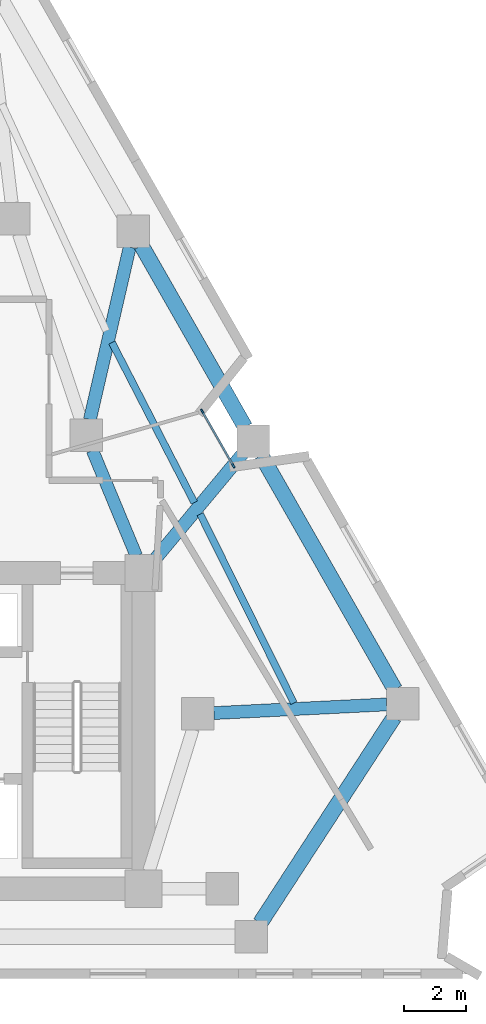
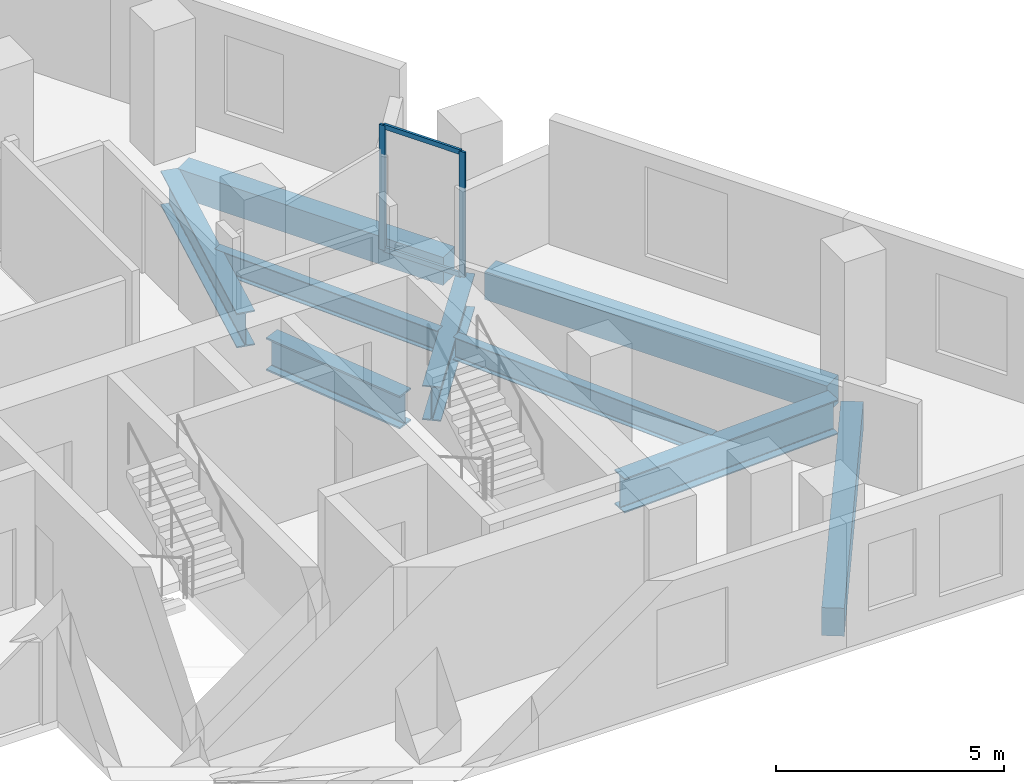
# One storey, part 4 of 11: 9 beams, 4 members, 1 element without a shape of its own.
"""IFC4 building model written with IfcOpenShell, lengths in metres."""

from ifc_helpers import new_model, si_unit, direction, frame, origin, origin_2d, place, context, subcontext, project, spatial, rectangle, i_section, extrude, material, layer, layer_set, material_profile, profile_set, type_object, element, aggregate, save


model = new_model("IFC4")

# Units and contexts
model_context = context("Model", 3, precision=1e-05, world=origin(), true_north=direction((0.0, 1.0)))
body_context = subcontext(model_context, "Body", "Model", "MODEL_VIEW")
ifc_project = project(units=[si_unit("LENGTHUNIT", "METRE"), si_unit("AREAUNIT", "SQUARE_METRE"), si_unit("VOLUMEUNIT", "CUBIC_METRE"), si_unit("PLANEANGLEUNIT", "RADIAN"), si_unit("MASSUNIT", "GRAM", prefix="KILO")], contexts=[model_context])

# Site, building, storey
site_placement = place(None, origin())
site = spatial("IfcSite", under=ifc_project, at=site_placement, CompositionType="ELEMENT")
building_placement = place(site_placement, origin())
building = spatial("IfcBuilding", under=site, at=building_placement, Name="Almagre Mirador Tower", CompositionType="ELEMENT")
storey_placement = place(building_placement, frame((0.0, 0.0, 142.800048828125)))
storey = spatial("IfcBuildingStorey", under=building, at=storey_placement, Name="L36", CompositionType="ELEMENT", Elevation=142.800048828125)

# Beams
ifc_material_1 = material(Name="Steel ASTM A992 Grade 50", Category="steel")
ifc_material_profile_1 = material_profile(ifc_material_1, i_section(OverallWidth=0.22802734375, OverallDepth=0.60791015625, WebThickness=0.01123046875, FlangeThickness=0.017333984375, FilletRadius=0.02001953125, at=origin_2d()), Name="W24X76")
ifc_profile_set_1 = profile_set([ifc_material_profile_1], Name="Steel ASTM A992 Grade 50")
beam_type_1 = type_object("IfcBeamType", Name="BM-JST-W24X76", PredefinedType="JOIST", material=ifc_profile_set_1)
beam_1_placement = place(storey_placement, frame((51.912353515625, 10.548095703125, -0.553955078125), z_axis=(-0.444446871484, 0.895805212325, 0.0), x_axis=(-0.895805212325, -0.444446871484, 0.0)))
element("IfcBeam", 1, at=beam_1_placement, inside=storey, type_object=beam_type_1, Name="L36 secondary floor joist PC05-PC06.2", PredefinedType="JOIST", context=body_context, shape_type="SweptSolid", body=[
    extrude(i_section(OverallWidth=0.22802734375, OverallDepth=0.60791015625, WebThickness=0.01123046875, FlangeThickness=0.017333984375, FilletRadius=0.02001953125, at=origin_2d()), origin(), (0.0, 0.0, 1.0), 6.817626953125),
])
beam_2_placement = place(storey_placement, frame((48.69384765625, 17.0283203125, -0.553955078125), z_axis=(-0.457690265575, 0.889111703217, 0.0), x_axis=(-0.889111703217, -0.457690265575, 0.0)))
element("IfcBeam", 2, at=beam_2_placement, inside=storey, type_object=beam_type_1, Name="L36 secondary floor joist PC06-PC07.2", PredefinedType="JOIST", context=body_context, shape_type="SweptSolid", body=[
    extrude(i_section(OverallWidth=0.22802734375, OverallDepth=0.60791015625, WebThickness=0.01123046875, FlangeThickness=0.017333984375, FilletRadius=0.02001953125, at=origin_2d()), origin(), (0.0, 0.0, 1.0), 5.818115234375),
])
ifc_material_2 = material(Name="Precast concrete C50/60", Category="concrete")
ifc_material_profile_2 = material_profile(ifc_material_2, rectangle(XDim=0.5, YDim=0.75, at=origin_2d()), Name="RC500X750")
ifc_profile_set_2 = profile_set([ifc_material_profile_2], Name="Precast concrete C50/60")
beam_type_2 = type_object("IfcBeamType", Name="BM-SPN-RC500X750", PredefinedType="SPANDREL", material=ifc_profile_set_2)
beam_3_placement = place(storey_placement, frame((50.822265625, 3.440185546875, -0.625), z_axis=(0.545085674256, 0.838380347885, 0.0), x_axis=(-0.838380347885, 0.545085674256, 0.0)))
element("IfcBeam", 3, at=beam_3_placement, inside=storey, type_object=beam_type_2, Name="L36 perimeter spandrel beam PC04-PC05", PredefinedType="SPANDREL", context=body_context, shape_type="SweptSolid", body=[
    extrude(rectangle(XDim=0.5, YDim=0.75, at=origin_2d()), origin(), (0.0, 0.0, 1.0), 7.935302734375),
])
beam_4_placement = place(storey_placement, frame((55.173828125, 10.989013671875, -0.625), z_axis=(-0.495713443993, 0.868486143496, 0.0), x_axis=(-0.868486143496, -0.495713443993, 0.0)))
element("IfcBeam", 4, at=beam_4_placement, inside=storey, type_object=beam_type_2, Name="L36 perimeter spandrel beam PC05-PC06", PredefinedType="SPANDREL", context=body_context, shape_type="SweptSolid", body=[
    extrude(rectangle(XDim=0.5, YDim=0.75, at=origin_2d()), origin(), (0.0, 0.0, 1.0), 8.7138671875),
])
beam_5_placement = place(storey_placement, frame((50.333740234375, 19.468994140625, -0.625), z_axis=(-0.495703346728, 0.868491906723, 0.0), x_axis=(-0.868491906723, -0.495703346728, 0.0)))
element("IfcBeam", 5, at=beam_5_placement, inside=storey, type_object=beam_type_2, Name="L36 perimeter spandrel beam PC06-PC07", PredefinedType="SPANDREL", context=body_context, shape_type="SweptSolid", body=[
    extrude(rectangle(XDim=0.5, YDim=0.75, at=origin_2d()), origin(), (0.0, 0.0, 1.0), 6.76123046875),
])
ifc_material_3 = material(Name="Steel ASTM A992 Grade 50", Category="steel")
ifc_material_profile_3 = material_profile(ifc_material_3, i_section(OverallWidth=0.404052734375, OverallDepth=0.884033203125, WebThickness=0.0244140625, FlangeThickness=0.0439453125, FilletRadius=0.02490234375, at=origin_2d()), Name="W33X291")
ifc_profile_set_3 = profile_set([ifc_material_profile_3], Name="Steel ASTM A992 Grade 50")
beam_type_3 = type_object("IfcBeamType", Name="BM-STL-W33X291", PredefinedType="BEAM", material=ifc_profile_set_3)
beam_6_placement = place(storey_placement, frame((45.401611328125, 18.715087890625, -0.692138671875), z_axis=(0.383845645019, -0.923397271384, 0.0), x_axis=(0.923397271384, 0.383845645019, 0.0)))
element("IfcBeam", 6, at=beam_6_placement, inside=storey, type_object=beam_type_3, Name="L36 core tie girder MC5-CC6", PredefinedType="BEAM", context=body_context, shape_type="SweptSolid", body=[
    extrude(i_section(OverallWidth=0.404052734375, OverallDepth=0.884033203125, WebThickness=0.0244140625, FlangeThickness=0.0439453125, FilletRadius=0.02490234375, at=origin_2d()), origin(), (0.0, 0.0, 1.0), 3.694091796875),
])
ifc_material_4 = material(Name="Steel ASTM A992 Grade 50", Category="steel")
ifc_material_profile_4 = material_profile(ifc_material_4, i_section(OverallWidth=0.41796875, OverallDepth=0.927001953125, WebThickness=0.019287109375, FlangeThickness=0.031982421875, FilletRadius=0.028076171875, at=origin_2d()), Name="W36X231")
ifc_profile_set_4 = profile_set([ifc_material_profile_4], Name="Steel ASTM A992 Grade 50")
beam_type_4 = type_object("IfcBeamType", Name="BM-STL-W36X231", PredefinedType="BEAM", material=ifc_profile_set_4)
beam_7_placement = place(storey_placement, frame((54.90966796875, 10.506591796875, -0.713623046875), z_axis=(-0.998743395924, -0.050116156068, 0.0), x_axis=(0.050116156068, -0.998743395924, 0.0)))
element("IfcBeam", 7, at=beam_7_placement, inside=storey, type_object=beam_type_4, Name="L36 radial floor girder PC05-MC3", PredefinedType="BEAM", context=body_context, shape_type="SweptSolid", body=[
    extrude(i_section(OverallWidth=0.41796875, OverallDepth=0.927001953125, WebThickness=0.019287109375, FlangeThickness=0.031982421875, FilletRadius=0.028076171875, at=origin_2d()), origin(), (0.0, 0.0, 1.0), 5.592529296875),
])
beam_8_placement = place(storey_placement, frame((50.25830078125, 18.609375, -0.713623046875), z_axis=(-0.639260058881, -0.768990622257, 0.0), x_axis=(0.768990622257, -0.639260058881, 0.0)))
element("IfcBeam", 8, at=beam_8_placement, inside=storey, type_object=beam_type_4, Name="L36 radial floor girder PC06-CC6", PredefinedType="BEAM", context=body_context, shape_type="SweptSolid", body=[
    extrude(i_section(OverallWidth=0.41796875, OverallDepth=0.927001953125, WebThickness=0.019287109375, FlangeThickness=0.031982421875, FilletRadius=0.028076171875, at=origin_2d()), origin(), (0.0, 0.0, 1.0), 4.418701171875),
])
beam_9_placement = place(storey_placement, frame((46.60400390625, 25.285400390625, -0.713623046875), z_axis=(-0.224800280545, -0.974404861373, 0.0), x_axis=(0.974404861373, -0.224800280545, 0.0)))
element("IfcBeam", 9, at=beam_9_placement, inside=storey, type_object=beam_type_4, Name="L36 radial floor girder PC07-MC5", PredefinedType="BEAM", context=body_context, shape_type="SweptSolid", body=[
    extrude(i_section(OverallWidth=0.41796875, OverallDepth=0.927001953125, WebThickness=0.019287109375, FlangeThickness=0.031982421875, FilletRadius=0.028076171875, at=origin_2d()), origin(), (0.0, 0.0, 1.0), 5.72021484375),
])

# Curtain wall, members
ifc_material_5 = material(Name="Black anodized aluminium", Category="aluminium")
ifc_layer = layer(ifc_material_5, 0.169921875)
ifc_layer_set = layer_set([ifc_layer], Name="Black anodized aluminium")
curtain_wall_type = type_object("IfcCurtainWallType", Name="CW-CRS-SYS", PredefinedType="NOTDEFINED", material=ifc_layer_set)
curtain_wall_placement = place(storey_placement, origin())
curtain_wall = element("IfcCurtainWall", 10, at=curtain_wall_placement, inside=storey, type_object=curtain_wall_type, Name="L36 vertical crease curtain wall 03", PredefinedType="NOTDEFINED")
ifc_material_6 = material(Name="Black anodized aluminium", Category="aluminium")
ifc_material_profile_5 = material_profile(ifc_material_6, rectangle(XDim=0.06005859375, YDim=0.14990234375, at=origin_2d()), Name="CWM60X150")
ifc_profile_set_5 = profile_set([ifc_material_profile_5], Name="Black anodized aluminium")
member_type_1 = type_object("IfcMemberType", Name="MBR-CWM60X150", PredefinedType="MULLION", material=ifc_profile_set_5)
member_1_placement = place(storey_placement, frame((48.94775390625, 19.97998046875, 0.0), z_axis=(0.0, 0.0, 1.0), x_axis=(0.868478613785, 0.495726635757, 0.0)))
member_1 = element("IfcMember", 11, at=member_1_placement, type_object=member_type_1, Name="CW-4 mullion 1", PredefinedType="MULLION", context=body_context, shape_type="SweptSolid", body=[
    extrude(rectangle(XDim=0.06005859375, YDim=0.14990234375, at=origin_2d()), origin(), (0.0, 0.0, 1.0), 3.349853515625),
])
member_2_placement = place(storey_placement, frame((49.9541015625, 18.217041015625, 0.0), z_axis=(0.0, 0.0, 1.0), x_axis=(0.868478613785, 0.495726635757, 0.0)))
member_2 = element("IfcMember", 12, at=member_2_placement, type_object=member_type_1, Name="CW-4 mullion 2", PredefinedType="MULLION", context=body_context, shape_type="SweptSolid", body=[
    extrude(rectangle(XDim=0.06005859375, YDim=0.14990234375, at=origin_2d()), origin(), (0.0, 0.0, 1.0), 3.349853515625),
])
ifc_material_7 = material(Name="Black anodized aluminium", Category="aluminium")
ifc_material_profile_6 = material_profile(ifc_material_7, rectangle(XDim=0.06005859375, YDim=0.1298828125, at=origin_2d()), Name="CWT60X130")
ifc_profile_set_6 = profile_set([ifc_material_profile_6], Name="Black anodized aluminium")
member_type_2 = type_object("IfcMemberType", Name="MBR-CWT60X130", PredefinedType="USERDEFINED", material=ifc_profile_set_6)
member_3_placement = place(storey_placement, frame((48.962646484375, 19.953857421875, 0.030029296875), z_axis=(0.495765161733, -0.868456622067, 0.0), x_axis=(0.868456622067, 0.495765161733, 0.0)))
member_3 = element("IfcMember", 13, at=member_3_placement, type_object=member_type_2, Name="CW-4 transom 1.1", ObjectType="TRANSOM", PredefinedType="USERDEFINED", context=body_context, shape_type="SweptSolid", body=[
    extrude(rectangle(XDim=0.06005859375, YDim=0.1298828125, at=origin_2d()), origin(), (0.0, 0.0, 1.0), 1.9697265625),
])
member_4_placement = place(storey_placement, frame((48.962646484375, 19.953857421875, 3.320068359375), z_axis=(0.495765161733, -0.868456622067, 0.0), x_axis=(0.868456622067, 0.495765161733, 0.0)))
member_4 = element("IfcMember", 14, at=member_4_placement, type_object=member_type_2, Name="CW-4 transom 1.2", ObjectType="TRANSOM", PredefinedType="USERDEFINED", context=body_context, shape_type="SweptSolid", body=[
    extrude(rectangle(XDim=0.06005859375, YDim=0.1298828125, at=origin_2d()), origin(), (0.0, 0.0, 1.0), 1.9697265625),
])
aggregate(curtain_wall, [member_1, member_2, member_3, member_4])

save(model, "model.ifc")
